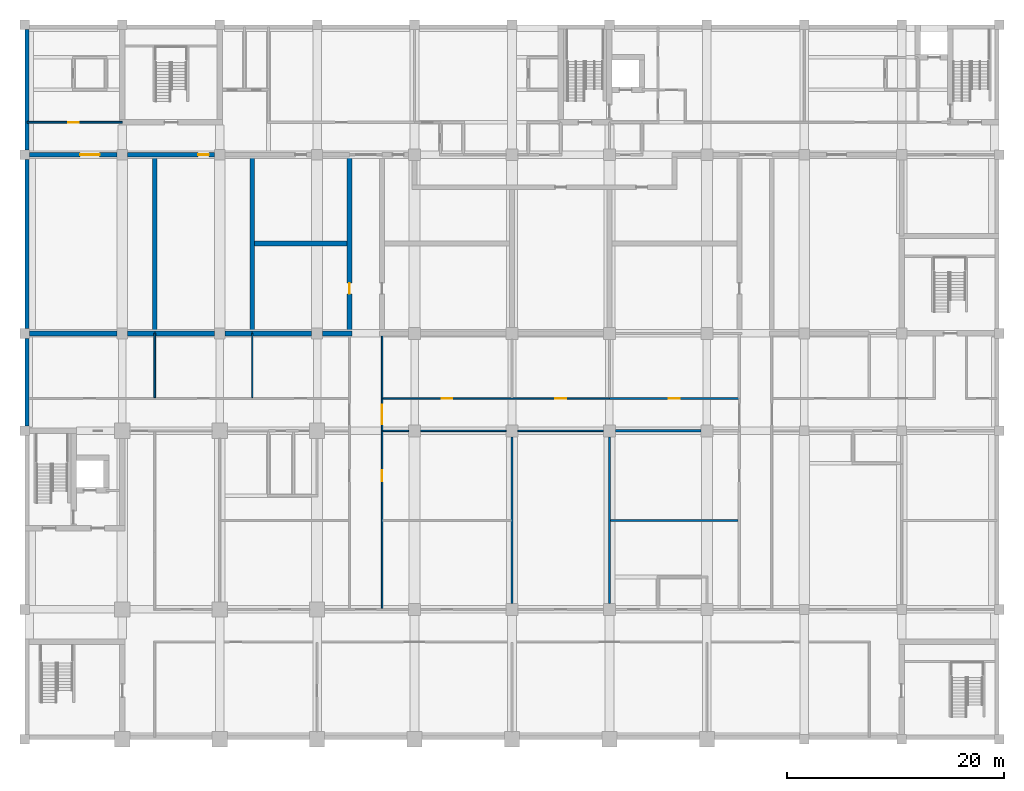
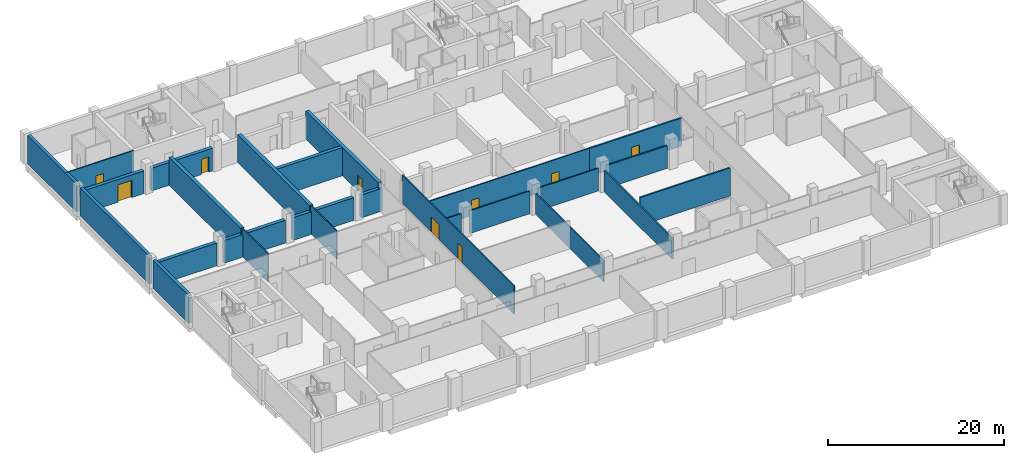
# One storey, part 7 of 16: 28 walls, 9 doors, 9 openings.
"""IFC4 building model written with IfcOpenShell, lengths in metres."""

from ifc_helpers import new_model, si_unit, direction, frame, frame_2d, origin, place, context, subcontext, project, spatial, rectangle, extrude, material, layer, layer_set, type_object, element, fill, save


model = new_model("IFC4")

# Units and contexts
model_context = context("Model", 3, precision=1e-05, world=origin(), true_north=direction((0.0, 1.0)))
body_context = subcontext(model_context, "Body", "Model", "MODEL_VIEW")
ifc_project = project(units=[si_unit("LENGTHUNIT", "METRE"), si_unit("AREAUNIT", "SQUARE_METRE"), si_unit("VOLUMEUNIT", "CUBIC_METRE"), si_unit("PLANEANGLEUNIT", "RADIAN"), si_unit("MASSUNIT", "GRAM", prefix="KILO")], contexts=[model_context])

# Site, building, storey
site_placement = place(None, origin())
site = spatial("IfcSite", under=ifc_project, at=site_placement, CompositionType="ELEMENT")
building_placement = place(site_placement, origin())
building = spatial("IfcBuilding", under=site, at=building_placement, Name="Aurelan Courthouse", CompositionType="ELEMENT")
storey_placement = place(building_placement, frame((0.0, 0.0, -4.199951171875)))
storey = spatial("IfcBuildingStorey", under=building, at=storey_placement, Name="B1", CompositionType="ELEMENT", Elevation=-4.199951171875)

# Walls
ifc_material_1 = material(Name="Reinforced concrete block", Category="concrete")
ifc_layer_1 = layer(ifc_material_1, 0.449951171875)
ifc_layer_set_1 = layer_set([ifc_layer_1], Name="Reinforced concrete block")
wall_type_1 = type_object("IfcWallType", Name="Archive fire wall 450 EI 60", PredefinedType="PARTITIONING", material=ifc_layer_set_1)
wall_1_placement = place(storey_placement, frame((0.449951171875, 37.5, 0.0), z_axis=(0.0, 0.0, 1.0), x_axis=(1.0, 0.0, 0.0)))
element("IfcWall", 1, at=wall_1_placement, inside=storey, type_object=wall_type_1, Name="Archive fire wall B1-040", PredefinedType="PARTITIONING", context=body_context, shape_type="SweptSolid", body=[
    extrude(rectangle(XDim=8.050048828125, YDim=0.449951171875, at=frame_2d((4.02490234375, 0.0))), origin(), (0.0, 0.0, 1.0), 3.14990234375),
])
wall_2_placement = place(storey_placement, frame((9.5, 37.5, 0.0), z_axis=(0.0, 0.0, 1.0), x_axis=(1.0, 0.0, 0.0)))
element("IfcWall", 2, at=wall_2_placement, inside=storey, type_object=wall_type_1, Name="Archive fire wall B1-041", PredefinedType="PARTITIONING", context=body_context, shape_type="SweptSolid", body=[
    extrude(rectangle(XDim=2.5, YDim=0.449951171875, at=frame_2d((1.25, 0.0))), origin(), (0.0, 0.0, 1.0), 3.14990234375),
])
wall_3_placement = place(storey_placement, frame((12.0, 37.5, 0.0), z_axis=(0.0, 0.0, 1.0), x_axis=(1.0, 0.0, 0.0)))
element("IfcWall", 3, at=wall_3_placement, inside=storey, type_object=wall_type_1, Name="Archive fire wall B1-042", PredefinedType="PARTITIONING", context=body_context, shape_type="SweptSolid", body=[
    extrude(rectangle(XDim=5.5, YDim=0.449951171875, at=frame_2d((2.75, 0.0))), origin(), (0.0, 0.0, 1.0), 3.14990234375),
])
wall_4_placement = place(storey_placement, frame((18.5, 37.5, 0.0), z_axis=(0.0, 0.0, 1.0), x_axis=(1.0, 0.0, 0.0)))
element("IfcWall", 4, at=wall_4_placement, inside=storey, type_object=wall_type_1, Name="Archive fire wall B1-043", PredefinedType="PARTITIONING", context=body_context, shape_type="SweptSolid", body=[
    extrude(rectangle(XDim=2.5, YDim=0.449951171875, at=frame_2d((1.25, 0.0))), origin(), (0.0, 0.0, 1.0), 3.14990234375),
])
wall_5_placement = place(storey_placement, frame((21.0, 37.5, 0.0), z_axis=(0.0, 0.0, 1.0), x_axis=(1.0, 0.0, 0.0)))
element("IfcWall", 5, at=wall_5_placement, inside=storey, type_object=wall_type_1, Name="Archive fire wall B1-044", PredefinedType="PARTITIONING", context=body_context, shape_type="SweptSolid", body=[
    extrude(rectangle(XDim=5.5, YDim=0.449951171875, at=frame_2d((2.75, 0.0))), origin(), (0.0, 0.0, 1.0), 3.14990234375),
])
wall_6_placement = place(storey_placement, frame((27.5, 37.5, 0.0), z_axis=(0.0, 0.0, 1.0), x_axis=(1.0, 0.0, 0.0)))
element("IfcWall", 6, at=wall_6_placement, inside=storey, type_object=wall_type_1, Name="Archive fire wall B1-045", PredefinedType="PARTITIONING", context=body_context, shape_type="SweptSolid", body=[
    extrude(rectangle(XDim=2.72509765625, YDim=0.449951171875, at=frame_2d((1.362548828125, 0.0))), origin(), (0.0, 0.0, 1.0), 3.14990234375),
])
wall_7_placement = place(storey_placement, frame((21.22509765625, 45.800048828125, 0.0), z_axis=(0.0, 0.0, 1.0), x_axis=(1.0, 0.0, 0.0)))
element("IfcWall", 7, at=wall_7_placement, inside=storey, type_object=wall_type_1, Name="Archive fire wall B1-054", PredefinedType="PARTITIONING", context=body_context, shape_type="SweptSolid", body=[
    extrude(rectangle(XDim=8.5498046875, YDim=0.449951171875, at=frame_2d((4.27490234375, 0.0))), origin(), (0.0, 0.0, 1.0), 3.89990234375),
])

# Wall, opening, door
wall_8_placement = place(storey_placement, frame((0.449951171875, 54.0, 0.0), z_axis=(0.0, 0.0, 1.0), x_axis=(1.0, 0.0, 0.0)))
wall_8 = element("IfcWall", 8, at=wall_8_placement, inside=storey, type_object=wall_type_1, Name="Archive fire wall B1-058", PredefinedType="PARTITIONING", context=body_context, shape_type="SweptSolid", body=[
    extrude(rectangle(XDim=8.050048828125, YDim=0.449951171875, at=frame_2d((4.02490234375, 0.0))), origin(), (0.0, 0.0, 1.0), 3.14990234375),
])
opening_1_placement = place(wall_8_placement, frame((6.449951171875, 0.0, 0.0), z_axis=(0.0, 0.0, 1.0), x_axis=(-1.0, 0.0, 0.0)))
opening_1 = element("IfcOpeningElement", 9, at=opening_1_placement, cuts=wall_8, Name="Opening D-B1-039", PredefinedType="OPENING", context=body_context, shape_type="SweptSolid", body=[
    extrude(rectangle(XDim=1.800048828125, YDim=2.39990234375, at=frame_2d((0.89990234375, 1.199951171875))), frame((0.0, 0.23486328125, 0.0), z_axis=(0.0, -1.0, 0.0), x_axis=(1.0, 0.0, 0.0)), (0.0, 0.0, 1.0), 0.469970703125),
])
ifc_material_2 = material(Name="Steel", Category="steel")
door_type_1 = type_object("IfcDoorType", Name="Double door 1800 x 2400 FD60", OperationType="DOUBLE_DOOR_SINGLE_SWING", PredefinedType="DOOR", material=ifc_material_2)
door_1_placement = place(opening_1_placement, origin())
door_1 = element("IfcDoor", 10, at=door_1_placement, inside=storey, type_object=door_type_1, Name="Double door D-B1-039", OperationType="DOUBLE_DOOR_SINGLE_SWING", OverallHeight=2.39990234375, OverallWidth=1.800048828125, PredefinedType="DOOR", context=body_context, shape_type="SweptSolid", body=[
    extrude(rectangle(XDim=1.800048828125, YDim=2.39990234375, at=frame_2d((0.89990234375, 1.199951171875))), frame((0.0, 0.02490234375, 0.0), z_axis=(0.0, -1.0, 0.0), x_axis=(1.0, 0.0, 0.0)), (0.0, 0.0, 1.0), 0.050048828125),
])
fill(opening_1, door_1)

wall_9_placement = place(storey_placement, frame((9.5, 54.0, 0.0), z_axis=(0.0, 0.0, 1.0), x_axis=(1.0, 0.0, 0.0)))
wall_9 = element("IfcWall", 11, at=wall_9_placement, inside=storey, type_object=wall_type_1, Name="Archive fire wall B1-059", PredefinedType="PARTITIONING", context=body_context, shape_type="SweptSolid", body=[
    extrude(rectangle(XDim=8.0, YDim=0.449951171875, at=frame_2d((4.0, 0.0))), origin(), (0.0, 0.0, 1.0), 3.14990234375),
])
opening_2_placement = place(wall_9_placement, frame((7.5, 0.0, 0.0), z_axis=(0.0, 0.0, 1.0), x_axis=(-1.0, 0.0, 0.0)))
opening_2 = element("IfcOpeningElement", 12, at=opening_2_placement, cuts=wall_9, Name="Opening D-B1-040", PredefinedType="OPENING", context=body_context, shape_type="SweptSolid", body=[
    extrude(rectangle(XDim=1.0, YDim=2.10009765625, at=frame_2d((0.5, 1.050048828125))), frame((0.0, 0.23486328125, 0.0), z_axis=(0.0, -1.0, 0.0), x_axis=(1.0, 0.0, 0.0)), (0.0, 0.0, 1.0), 0.469970703125),
])
door_type_2 = type_object("IfcDoorType", Name="Single door 1000 x 2100 FD60", OperationType="SINGLE_SWING_LEFT", PredefinedType="DOOR", material=ifc_material_2)
door_2_placement = place(opening_2_placement, origin())
door_2 = element("IfcDoor", 13, at=door_2_placement, inside=storey, type_object=door_type_2, Name="Single door D-B1-040", OperationType="SINGLE_SWING_RIGHT", OverallHeight=2.10009765625, OverallWidth=1.0, PredefinedType="DOOR", context=body_context, shape_type="SweptSolid", body=[
    extrude(rectangle(XDim=1.0, YDim=2.10009765625, at=frame_2d((0.5, 1.050048828125))), frame((0.0, 0.02490234375, 0.0), z_axis=(0.0, -1.0, 0.0), x_axis=(1.0, 0.0, 0.0)), (0.0, 0.0, 1.0), 0.050048828125),
])
fill(opening_2, door_2)

# Walls
for number, where, z_axis, x_axis, name in (
    (14, (12.0, 37.5, 0.0), (0.0, 0.0, 1.0), (0.0, 1.0, 0.0), "Archive fire wall B1-098"),
    (15, (21.0, 37.5, 0.0), (0.0, 0.0, 1.0), (0.0, 1.0, 0.0), "Archive fire wall B1-103"),
):
    element("IfcWall", number, at=place(storey_placement, frame(where, z_axis=z_axis, x_axis=x_axis)), inside=storey, type_object=wall_type_1, Name=name, PredefinedType="PARTITIONING", context=body_context, shape_type="SweptSolid", body=[
        extrude(rectangle(XDim=16.27490234375, YDim=0.449951171875, at=frame_2d((8.137451171875, 0.0))), origin(), (0.0, 0.0, 1.0), 3.89990234375),
    ])

# Wall, opening, door
wall_10_placement = place(storey_placement, frame((30.0, 37.5, 0.0), z_axis=(0.0, 0.0, 1.0), x_axis=(0.0, 1.0, 0.0)))
wall_10 = element("IfcWall", 16, at=wall_10_placement, inside=storey, type_object=wall_type_1, Name="Archive fire wall B1-111", PredefinedType="PARTITIONING", context=body_context, shape_type="SweptSolid", body=[
    extrude(rectangle(XDim=16.425048828125, YDim=0.449951171875, at=frame_2d((8.21240234375, 0.0))), origin(), (0.0, 0.0, 1.0), 3.89990234375),
])
opening_3_placement = place(wall_10_placement, frame((3.64990234375, 0.0, 0.0)))
opening_3 = element("IfcOpeningElement", 17, at=opening_3_placement, cuts=wall_10, Name="Opening D-B1-041", PredefinedType="OPENING", context=body_context, shape_type="SweptSolid", body=[
    extrude(rectangle(XDim=1.0, YDim=2.10009765625, at=frame_2d((0.5, 1.050048828125))), frame((0.0, 0.23486328125, 0.0), z_axis=(0.0, -1.0, 0.0), x_axis=(1.0, 0.0, 0.0)), (0.0, 0.0, 1.0), 0.469970703125),
])
door_3_placement = place(opening_3_placement, origin())
door_3 = element("IfcDoor", 18, at=door_3_placement, inside=storey, type_object=door_type_2, Name="Single door D-B1-041", OperationType="SINGLE_SWING_RIGHT", OverallHeight=2.10009765625, OverallWidth=1.0, PredefinedType="DOOR", context=body_context, shape_type="SweptSolid", body=[
    extrude(rectangle(XDim=1.0, YDim=2.10009765625, at=frame_2d((0.5, 1.050048828125))), frame((0.0, 0.02490234375, 0.0), z_axis=(0.0, -1.0, 0.0), x_axis=(1.0, 0.0, 0.0)), (0.0, 0.0, 1.0), 0.050048828125),
])
fill(opening_3, door_3)

# Walls
ifc_material_3 = material(Name="Gypsum board on metal studs")
ifc_layer_2 = layer(ifc_material_3, 0.14990234375)
ifc_layer_set_2 = layer_set([ifc_layer_2], Name="Gypsum board on metal studs")
wall_type_2 = type_object("IfcWallType", Name="Corridor partition 150 EI 60", PredefinedType="PARTITIONING", material=ifc_layer_set_2)
wall_11_placement = place(storey_placement, frame((33.074951171875, 28.5, 0.0), z_axis=(0.0, 0.0, 1.0), x_axis=(1.0, 0.0, 0.0)))
element("IfcWall", 19, at=wall_11_placement, inside=storey, type_object=wall_type_2, Name="Corridor partition B1-025", PredefinedType="PARTITIONING", context=body_context, shape_type="SweptSolid", body=[
    extrude(rectangle(XDim=2.375, YDim=0.14990234375, at=frame_2d((1.1875, 0.0))), origin(), (0.0, 0.0, 1.0), 3.14990234375),
])
for number, where, z_axis, x_axis, name in (
    (20, (36.550048828125, 28.5, 0.0), (0.0, 0.0, 1.0), (1.0, 0.0, 0.0), "Corridor partition B1-026"),
    (21, (45.550048828125, 28.5, 0.0), (0.0, 0.0, 1.0), (1.0, 0.0, 0.0), "Corridor partition B1-027"),
):
    element("IfcWall", number, at=place(storey_placement, frame(where, z_axis=z_axis, x_axis=x_axis)), inside=storey, type_object=wall_type_2, Name=name, PredefinedType="PARTITIONING", context=body_context, shape_type="SweptSolid", body=[
        extrude(rectangle(XDim=7.89990234375, YDim=0.14990234375, at=frame_2d((3.949951171875, 0.0))), origin(), (0.0, 0.0, 1.0), 3.14990234375),
    ])

# Wall, openings, doors
wall_12_placement = place(storey_placement, frame((33.074951171875, 31.5, 0.0), z_axis=(0.0, 0.0, 1.0), x_axis=(1.0, 0.0, 0.0)))
wall_12 = element("IfcWall", 22, at=wall_12_placement, inside=storey, type_object=wall_type_2, Name="Corridor partition B1-035", PredefinedType="PARTITIONING", context=body_context, shape_type="SweptSolid", body=[
    extrude(rectangle(XDim=20.925048828125, YDim=0.14990234375, at=frame_2d((10.46240234375, 0.0))), origin(), (0.0, 0.0, 1.0), 3.89990234375),
])
opening_4_placement = place(wall_12_placement, frame((5.425048828125, 0.0, 0.0)))
opening_4 = element("IfcOpeningElement", 23, at=opening_4_placement, cuts=wall_12, Name="Opening D-B1-021", PredefinedType="OPENING", context=body_context, shape_type="SweptSolid", body=[
    extrude(rectangle(XDim=1.0, YDim=2.10009765625, at=frame_2d((0.5, 1.050048828125))), frame((0.0, 0.0849609375, 0.0), z_axis=(0.0, -1.0, 0.0), x_axis=(1.0, 0.0, 0.0)), (0.0, 0.0, 1.0), 0.169921875),
])
opening_5_placement = place(wall_12_placement, frame((15.925048828125, 0.0, 0.0)))
opening_5 = element("IfcOpeningElement", 24, at=opening_5_placement, cuts=wall_12, Name="Opening D-B1-022", PredefinedType="OPENING", context=body_context, shape_type="SweptSolid", body=[
    extrude(rectangle(XDim=1.0, YDim=2.10009765625, at=frame_2d((0.5, 1.050048828125))), frame((0.0, 0.0849609375, 0.0), z_axis=(0.0, -1.0, 0.0), x_axis=(1.0, 0.0, 0.0)), (0.0, 0.0, 1.0), 0.169921875),
])
door_4_placement = place(opening_4_placement, origin())
door_4 = element("IfcDoor", 25, at=door_4_placement, inside=storey, type_object=door_type_2, Name="Single door D-B1-021", OperationType="SINGLE_SWING_RIGHT", OverallHeight=2.10009765625, OverallWidth=1.0, PredefinedType="DOOR", context=body_context, shape_type="SweptSolid", body=[
    extrude(rectangle(XDim=1.0, YDim=2.10009765625, at=frame_2d((0.5, 1.050048828125))), frame((0.0, 0.02490234375, 0.0), z_axis=(0.0, -1.0, 0.0), x_axis=(1.0, 0.0, 0.0)), (0.0, 0.0, 1.0), 0.050048828125),
])
fill(opening_4, door_4)
door_5_placement = place(opening_5_placement, origin())
door_5 = element("IfcDoor", 26, at=door_5_placement, inside=storey, type_object=door_type_2, Name="Single door D-B1-022", OperationType="SINGLE_SWING_LEFT", OverallHeight=2.10009765625, OverallWidth=1.0, PredefinedType="DOOR", context=body_context, shape_type="SweptSolid", body=[
    extrude(rectangle(XDim=1.0, YDim=2.10009765625, at=frame_2d((0.5, 1.050048828125))), frame((0.0, 0.02490234375, 0.0), z_axis=(0.0, -1.0, 0.0), x_axis=(1.0, 0.0, 0.0)), (0.0, 0.0, 1.0), 0.050048828125),
])
fill(opening_5, door_5)

# Wall, opening, door
wall_13_placement = place(storey_placement, frame((0.199951171875, 57.0, 0.0), z_axis=(0.0, 0.0, 1.0), x_axis=(1.0, 0.0, 0.0)))
wall_13 = element("IfcWall", 27, at=wall_13_placement, inside=storey, type_object=wall_type_2, Name="Corridor partition B1-075", PredefinedType="PARTITIONING", context=body_context, shape_type="SweptSolid", body=[
    extrude(rectangle(XDim=8.800048828125, YDim=0.14990234375, at=frame_2d((4.39990234375, 0.0))), origin(), (0.0, 0.0, 1.0), 3.89990234375),
])
opening_6_placement = place(wall_13_placement, frame((3.800048828125, 0.0, 0.0)))
opening_6 = element("IfcOpeningElement", 28, at=opening_6_placement, cuts=wall_13, Name="Opening D-B1-031", PredefinedType="OPENING", context=body_context, shape_type="SweptSolid", body=[
    extrude(rectangle(XDim=1.0, YDim=2.10009765625, at=frame_2d((0.5, 1.050048828125))), frame((0.0, 0.0849609375, 0.0), z_axis=(0.0, -1.0, 0.0), x_axis=(1.0, 0.0, 0.0)), (0.0, 0.0, 1.0), 0.169921875),
])
door_6_placement = place(opening_6_placement, origin())
door_6 = element("IfcDoor", 29, at=door_6_placement, inside=storey, type_object=door_type_2, Name="Single door D-B1-031", OperationType="SINGLE_SWING_LEFT", OverallHeight=2.10009765625, OverallWidth=1.0, PredefinedType="DOOR", context=body_context, shape_type="SweptSolid", body=[
    extrude(rectangle(XDim=1.0, YDim=2.10009765625, at=frame_2d((0.5, 1.050048828125))), frame((0.0, 0.02490234375, 0.0), z_axis=(0.0, -1.0, 0.0), x_axis=(1.0, 0.0, 0.0)), (0.0, 0.0, 1.0), 0.050048828125),
])
fill(opening_6, door_6)

# Wall, openings, doors
wall_14_placement = place(storey_placement, frame((33.0, 12.074951171875, 0.0), z_axis=(0.0, 0.0, 1.0), x_axis=(0.0, 1.0, 0.0)))
wall_14 = element("IfcWall", 30, at=wall_14_placement, inside=storey, type_object=wall_type_2, Name="Corridor partition B1-112", PredefinedType="PARTITIONING", context=body_context, shape_type="SweptSolid", body=[
    extrude(rectangle(XDim=25.425048828125, YDim=0.14990234375, at=frame_2d((12.71240234375, 0.0))), origin(), (0.0, 0.0, 1.0), 3.89990234375),
])
opening_7_placement = place(wall_14_placement, frame((17.02490234375, 0.0, 0.0)))
opening_7 = element("IfcOpeningElement", 31, at=opening_7_placement, cuts=wall_14, Name="Opening D-B1-007", PredefinedType="OPENING", context=body_context, shape_type="SweptSolid", body=[
    extrude(rectangle(XDim=1.800048828125, YDim=2.10009765625, at=frame_2d((0.89990234375, 1.050048828125))), frame((0.0, 0.0849609375, 0.0), z_axis=(0.0, -1.0, 0.0), x_axis=(1.0, 0.0, 0.0)), (0.0, 0.0, 1.0), 0.169921875),
])
opening_8_placement = place(wall_14_placement, frame((12.77490234375, 0.0, 0.0), z_axis=(0.0, 0.0, 1.0), x_axis=(-1.0, 0.0, 0.0)))
opening_8 = element("IfcOpeningElement", 32, at=opening_8_placement, cuts=wall_14, Name="Opening D-B1-014", PredefinedType="OPENING", context=body_context, shape_type="SweptSolid", body=[
    extrude(rectangle(XDim=1.0, YDim=2.10009765625, at=frame_2d((0.5, 1.050048828125))), frame((0.0, 0.0849609375, 0.0), z_axis=(0.0, -1.0, 0.0), x_axis=(1.0, 0.0, 0.0)), (0.0, 0.0, 1.0), 0.169921875),
])
door_type_3 = type_object("IfcDoorType", Name="Double door 1800 x 2100 FD60", OperationType="DOUBLE_DOOR_SINGLE_SWING", PredefinedType="DOOR", material=ifc_material_2)
door_7_placement = place(opening_7_placement, origin())
door_7 = element("IfcDoor", 33, at=door_7_placement, inside=storey, type_object=door_type_3, Name="Double door D-B1-007", OperationType="DOUBLE_DOOR_SINGLE_SWING", OverallHeight=2.10009765625, OverallWidth=1.800048828125, PredefinedType="DOOR", context=body_context, shape_type="SweptSolid", body=[
    extrude(rectangle(XDim=1.800048828125, YDim=2.10009765625, at=frame_2d((0.89990234375, 1.050048828125))), frame((0.0, 0.02490234375, 0.0), z_axis=(0.0, -1.0, 0.0), x_axis=(1.0, 0.0, 0.0)), (0.0, 0.0, 1.0), 0.050048828125),
])
fill(opening_7, door_7)
door_8_placement = place(opening_8_placement, origin())
door_8 = element("IfcDoor", 34, at=door_8_placement, inside=storey, type_object=door_type_2, Name="Single door D-B1-014", OperationType="SINGLE_SWING_RIGHT", OverallHeight=2.10009765625, OverallWidth=1.0, PredefinedType="DOOR", context=body_context, shape_type="SweptSolid", body=[
    extrude(rectangle(XDim=1.0, YDim=2.10009765625, at=frame_2d((0.5, 1.050048828125))), frame((0.0, 0.02490234375, 0.0), z_axis=(0.0, -1.0, 0.0), x_axis=(1.0, 0.0, 0.0)), (0.0, 0.0, 1.0), 0.050048828125),
])
fill(opening_8, door_8)

# Walls
ifc_layer_3 = layer(ifc_material_3, 0.14990234375)
ifc_layer_set_3 = layer_set([ifc_layer_3], Name="Gypsum board on metal studs")
wall_type_3 = type_object("IfcWallType", Name="Partition 150 NOT RATED", PredefinedType="PARTITIONING", material=ifc_layer_set_3)
wall_15_placement = place(storey_placement, frame((45.0, 12.550048828125, 0.0), z_axis=(0.0, 0.0, 1.0), x_axis=(0.0, 1.0, 0.0)))
element("IfcWall", 35, at=wall_15_placement, inside=storey, type_object=wall_type_3, Name="Partition B1-119", PredefinedType="PARTITIONING", context=body_context, shape_type="SweptSolid", body=[
    extrude(rectangle(XDim=15.39990234375, YDim=0.14990234375, at=frame_2d((7.699951171875, 0.0))), origin(), (0.0, 0.0, 1.0), 2.949951171875),
])
ifc_material_4 = material(Name="Masonry block", Category="masonry")
ifc_layer_4 = layer(ifc_material_4, 0.199951171875)
ifc_layer_set_4 = layer_set([ifc_layer_4], Name="Masonry block")
wall_type_4 = type_object("IfcWallType", Name="Plant room wall 200 EI 120", PredefinedType="PARTITIONING", material=ifc_layer_set_4)
wall_16_placement = place(storey_placement, frame((54.10009765625, 20.199951171875, 0.0), z_axis=(0.0, 0.0, 1.0), x_axis=(1.0, 0.0, 0.0)))
element("IfcWall", 36, at=wall_16_placement, inside=storey, type_object=wall_type_4, Name="Plant room wall B1-016", PredefinedType="PARTITIONING", context=body_context, shape_type="SweptSolid", body=[
    extrude(rectangle(XDim=11.7998046875, YDim=0.199951171875, at=frame_2d((5.89990234375, 0.0))), origin(), (0.0, 0.0, 1.0), 3.89990234375),
])
wall_17_placement = place(storey_placement, frame((54.550048828125, 28.5, 0.0), z_axis=(0.0, 0.0, 1.0), x_axis=(1.0, 0.0, 0.0)))
element("IfcWall", 37, at=wall_17_placement, inside=storey, type_object=wall_type_4, Name="Plant room wall B1-028", PredefinedType="PARTITIONING", context=body_context, shape_type="SweptSolid", body=[
    extrude(rectangle(XDim=7.89990234375, YDim=0.199951171875, at=frame_2d((3.949951171875, 0.0))), origin(), (0.0, 0.0, 1.0), 3.14990234375),
])

# Wall, opening, door
wall_18_placement = place(storey_placement, frame((54.0, 31.5, 0.0), z_axis=(0.0, 0.0, 1.0), x_axis=(1.0, 0.0, 0.0)))
wall_18 = element("IfcWall", 38, at=wall_18_placement, inside=storey, type_object=wall_type_4, Name="Plant room wall B1-036", PredefinedType="PARTITIONING", context=body_context, shape_type="SweptSolid", body=[
    extrude(rectangle(XDim=12.10009765625, YDim=0.199951171875, at=frame_2d((6.050048828125, 0.0))), origin(), (0.0, 0.0, 1.0), 3.89990234375),
])
opening_9_placement = place(wall_18_placement, frame((5.5, 0.0, 0.0)))
opening_9 = element("IfcOpeningElement", 39, at=opening_9_placement, cuts=wall_18, Name="Opening D-B1-023", PredefinedType="OPENING", context=body_context, shape_type="SweptSolid", body=[
    extrude(rectangle(XDim=1.0, YDim=2.10009765625, at=frame_2d((0.5, 1.050048828125))), frame((0.0, 0.10986328125, 0.0), z_axis=(0.0, -1.0, 0.0), x_axis=(1.0, 0.0, 0.0)), (0.0, 0.0, 1.0), 0.219970703125),
])
door_type_4 = type_object("IfcDoorType", Name="Single door 1000 x 2100 FD90", OperationType="SINGLE_SWING_LEFT", PredefinedType="DOOR", material=ifc_material_2)
door_9_placement = place(opening_9_placement, origin())
door_9 = element("IfcDoor", 40, at=door_9_placement, inside=storey, type_object=door_type_4, Name="Single door D-B1-023", OperationType="SINGLE_SWING_RIGHT", OverallHeight=2.10009765625, OverallWidth=1.0, PredefinedType="DOOR", context=body_context, shape_type="SweptSolid", body=[
    extrude(rectangle(XDim=1.0, YDim=2.10009765625, at=frame_2d((0.5, 1.050048828125))), frame((0.0, 0.02490234375, 0.0), z_axis=(0.0, -1.0, 0.0), x_axis=(1.0, 0.0, 0.0)), (0.0, 0.0, 1.0), 0.050048828125),
])
fill(opening_9, door_9)

# Walls
wall_19_placement = place(storey_placement, frame((54.0, 12.550048828125, 0.0), z_axis=(0.0, 0.0, 1.0), x_axis=(0.0, 1.0, 0.0)))
element("IfcWall", 41, at=wall_19_placement, inside=storey, type_object=wall_type_4, Name="Plant room wall B1-125", PredefinedType="PARTITIONING", context=body_context, shape_type="SweptSolid", body=[
    extrude(rectangle(XDim=15.39990234375, YDim=0.199951171875, at=frame_2d((7.699951171875, 0.0))), origin(), (0.0, 0.0, 1.0), 2.949951171875),
])
ifc_material_5 = material(Name="Concrete C50", Category="concrete")
ifc_layer_5 = layer(ifc_material_5, 0.39990234375)
ifc_layer_set_5 = layer_set([ifc_layer_5], Name="Concrete C50")
wall_type_5 = type_object("IfcWallType", Name="RC retaining wall 400", PredefinedType="SOLIDWALL", material=ifc_layer_set_5)
wall_20_placement = place(storey_placement, frame((0.199951171875, 28.949951171875, 0.0), z_axis=(0.0, 0.0, 1.0), x_axis=(0.0, 1.0, 0.0)))
element("IfcWall", 42, at=wall_20_placement, inside=storey, type_object=wall_type_5, Name="Retaining wall SW-B1-026", PredefinedType="SOLIDWALL", context=body_context, shape_type="SweptSolid", body=[
    extrude(rectangle(XDim=8.10009765625, YDim=0.39990234375, at=frame_2d((4.050048828125, 0.0))), origin(), (0.0, 0.0, 1.0), 3.89990234375),
])
wall_21_placement = place(storey_placement, frame((0.199951171875, 37.949951171875, 0.0), z_axis=(0.0, 0.0, 1.0), x_axis=(0.0, 1.0, 0.0)))
element("IfcWall", 43, at=wall_21_placement, inside=storey, type_object=wall_type_5, Name="Retaining wall SW-B1-029", PredefinedType="SOLIDWALL", context=body_context, shape_type="SweptSolid", body=[
    extrude(rectangle(XDim=15.60009765625, YDim=0.39990234375, at=frame_2d((7.800048828125, 0.0))), origin(), (0.0, 0.0, 1.0), 3.89990234375),
])
wall_22_placement = place(storey_placement, frame((0.199951171875, 54.449951171875, 0.0), z_axis=(0.0, 0.0, 1.0), x_axis=(0.0, 1.0, 0.0)))
element("IfcWall", 44, at=wall_22_placement, inside=storey, type_object=wall_type_5, Name="Retaining wall SW-B1-033", PredefinedType="SOLIDWALL", context=body_context, shape_type="SweptSolid", body=[
    extrude(rectangle(XDim=11.10009765625, YDim=0.39990234375, at=frame_2d((5.550048828125, 0.0))), origin(), (0.0, 0.0, 1.0), 3.89990234375),
])
ifc_layer_6 = layer(ifc_material_4, 0.14990234375)
ifc_layer_set_6 = layer_set([ifc_layer_6], Name="Masonry block")
wall_type_6 = type_object("IfcWallType", Name="Store wall 150 EI 60", PredefinedType="PARTITIONING", material=ifc_layer_set_6)
wall_23_placement = place(storey_placement, frame((12.0, 31.574951171875, 0.0), z_axis=(0.0, 0.0, 1.0), x_axis=(0.0, 1.0, 0.0)))
element("IfcWall", 45, at=wall_23_placement, inside=storey, type_object=wall_type_6, Name="Store wall B1-097", PredefinedType="PARTITIONING", context=body_context, shape_type="SweptSolid", body=[
    extrude(rectangle(XDim=5.925048828125, YDim=0.14990234375, at=frame_2d((2.96240234375, 0.0))), origin(), (0.0, 0.0, 1.0), 3.89990234375),
])
ifc_material_6 = material(Name="Moisture-resistant board on metal studs")
ifc_layer_7 = layer(ifc_material_6, 0.125)
ifc_layer_set_7 = layer_set([ifc_layer_7], Name="Moisture-resistant board on metal studs")
wall_type_7 = type_object("IfcWallType", Name="Wet-area partition 125 NOT RATED", PredefinedType="PARTITIONING", material=ifc_layer_set_7)
wall_24_placement = place(storey_placement, frame((21.0, 31.574951171875, 0.0), z_axis=(0.0, 0.0, 1.0), x_axis=(0.0, 1.0, 0.0)))
element("IfcWall", 46, at=wall_24_placement, inside=storey, type_object=wall_type_7, Name="Wet-area partition B1-102", PredefinedType="PARTITIONING", context=body_context, shape_type="SweptSolid", body=[
    extrude(rectangle(XDim=5.925048828125, YDim=0.125, at=frame_2d((2.96240234375, 0.0))), origin(), (0.0, 0.0, 1.0), 3.89990234375),
])

save(model, "model.ifc")
